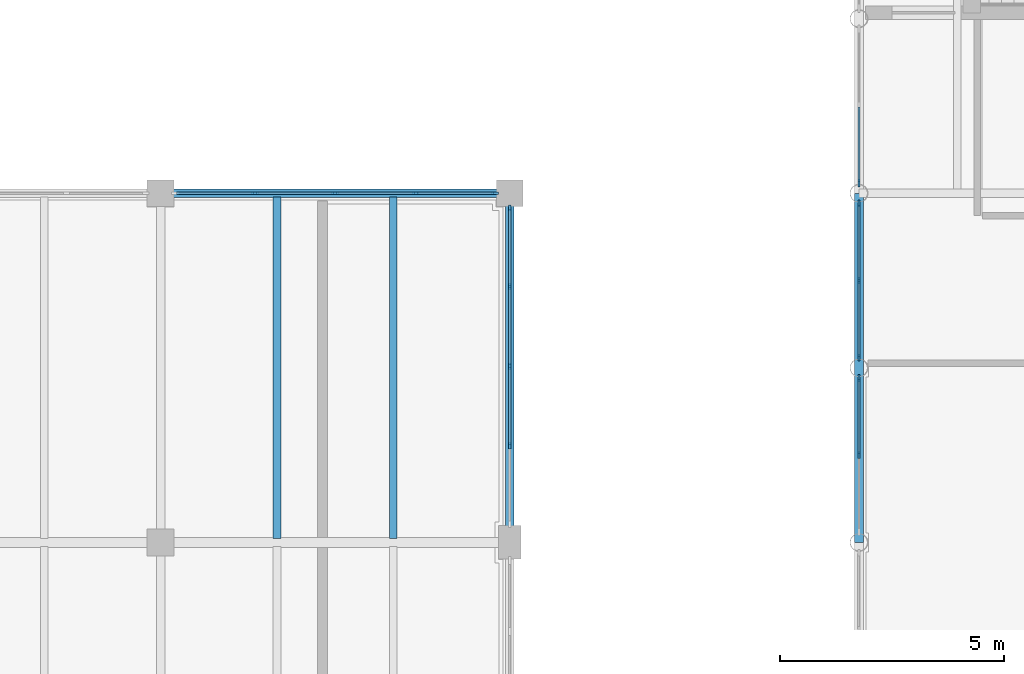
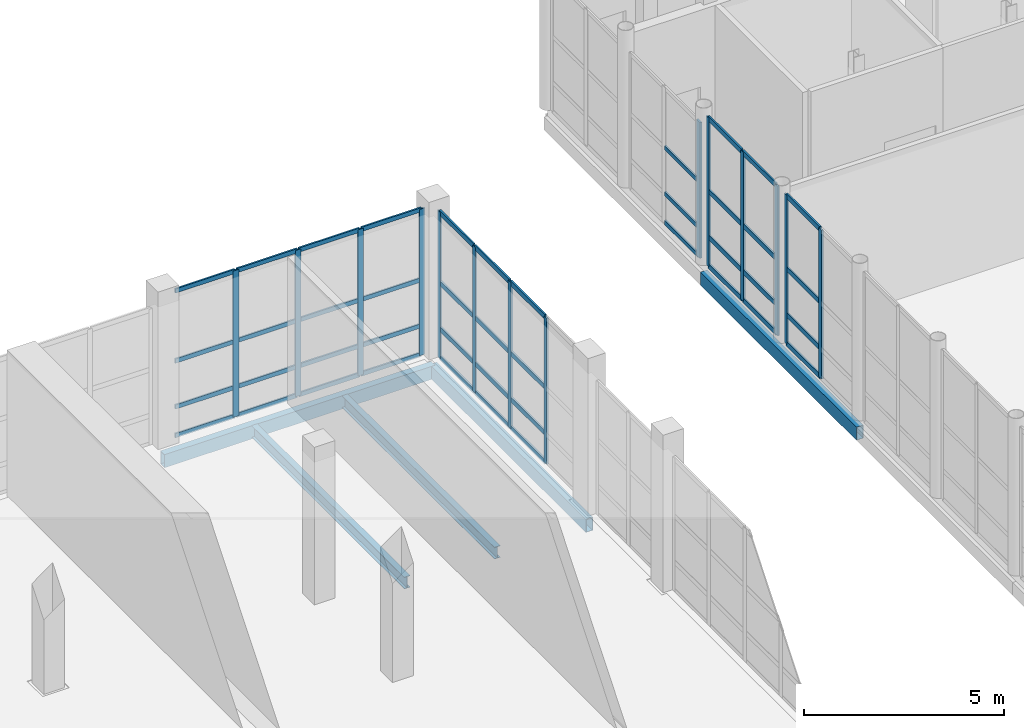
# One storey, part 45 of 131: 57 members, 5 beams, 5 elements without a shape of their own.
"""IFC4 building model written with IfcOpenShell, lengths in metres."""

from ifc_helpers import new_model, si_unit, direction, frame, origin, origin_2d, place, context, subcontext, project, spatial, rectangle, hollow_rectangle, i_section, extrude, material, layer, layer_set, material_profile, profile_set, type_object, element, aggregate, save


model = new_model("IFC4")

# Units and contexts
model_context = context("Model", 3, precision=1e-05, world=origin(), true_north=direction((0.0, 1.0)))
body_context = subcontext(model_context, "Body", "Model", "MODEL_VIEW")
ifc_project = project(units=[si_unit("LENGTHUNIT", "METRE"), si_unit("AREAUNIT", "SQUARE_METRE"), si_unit("VOLUMEUNIT", "CUBIC_METRE"), si_unit("PLANEANGLEUNIT", "RADIAN"), si_unit("MASSUNIT", "GRAM", prefix="KILO")], contexts=[model_context])

# Site, building, storey
site_placement = place(None, origin())
site = spatial("IfcSite", under=ifc_project, at=site_placement, CompositionType="ELEMENT")
building_placement = place(site_placement, origin())
building = spatial("IfcBuilding", under=site, at=building_placement, Name="Celorna Specialist Clinic", CompositionType="ELEMENT")
storey_placement = place(building_placement, origin())
storey = spatial("IfcBuildingStorey", under=building, at=storey_placement, Name="L00", CompositionType="ELEMENT", Elevation=0.0)

# Beams
ifc_material_1 = material(Name="Steel S355", Category="steel")
ifc_material_profile_1 = material_profile(ifc_material_1, i_section(OverallWidth=0.169921875, OverallDepth=0.360107421875, WebThickness=0.008056640625, FlangeThickness=0.0126953125, at=origin_2d()), Name="IPE 360")
ifc_profile_set_1 = profile_set([ifc_material_profile_1], Name="Steel S355")
beam_type_1 = type_object("IfcBeamType", Name="BM-11", PredefinedType="JOIST", material=ifc_profile_set_1)
for number, where, z_axis, x_axis, name in (
    (1, (41.60009765625, 62.488037109375, -0.56005859375), (0.0, 1.0, 0.0), (-1.0, 0.0, 0.0), "Secondary floor joist BM-11 #355"),
    (2, (44.199951171875, 62.488037109375, -0.56005859375), (0.0, 1.0, 0.0), (-1.0, 0.0, 0.0), "Secondary floor joist BM-11 #356"),
):
    element("IfcBeam", number, at=place(storey_placement, frame(where, z_axis=z_axis, x_axis=x_axis)), inside=storey, type_object=beam_type_1, Name=name, PredefinedType="JOIST", context=body_context, shape_type="SweptSolid", body=[
        extrude(i_section(OverallWidth=0.169921875, OverallDepth=0.360107421875, WebThickness=0.008056640625, FlangeThickness=0.0126953125, at=origin_2d()), origin(), (0.0, 0.0, 1.0), 7.6240234375),
    ])
ifc_material_profile_2 = material_profile(ifc_material_1, hollow_rectangle(XDim=0.199951171875, YDim=0.39990234375, WallThickness=0.011962890625, at=origin_2d()), Name="RHS 200x400x12")
ifc_profile_set_2 = profile_set([ifc_material_profile_2], Name="Steel S355")
beam_type_2 = type_object("IfcBeamType", Name="BM-15", PredefinedType="SPANDREL", material=ifc_profile_set_2)
for number, where, z_axis, x_axis, name in (
    (3, (54.60009765625, 62.39990234375, -0.5), (0.0, 1.0, 0.0), (-1.0, 0.0, 0.0), "Spandrel beam BM-15 #163"),
    (4, (39.0, 70.199951171875, -0.580078125), (1.0, 0.0, 0.0), (0.0, 1.0, 0.0), "Spandrel beam BM-15 #265"),
    (5, (46.800048828125, 62.39990234375, -0.580078125), (0.0, 1.0, 0.0), (-1.0, 0.0, 0.0), "Spandrel beam BM-15 #300"),
):
    element("IfcBeam", number, at=place(storey_placement, frame(where, z_axis=z_axis, x_axis=x_axis)), inside=storey, type_object=beam_type_2, Name=name, PredefinedType="SPANDREL", context=body_context, shape_type="SweptSolid", body=[
        extrude(hollow_rectangle(XDim=0.199951171875, YDim=0.39990234375, WallThickness=0.011962890625, at=origin_2d()), origin(), (0.0, 0.0, 1.0), 7.800048828125),
    ])

# Curtain wall, members
ifc_material_2 = material(Name="Thermally broken aluminium and solar-control glass curtain wall", Category="aluminium")
ifc_layer_1 = layer(ifc_material_2, 0.159912109375, Name="Thermally broken aluminium and solar-control glass curtain wall")
ifc_layer_set_1 = layer_set([ifc_layer_1], Name="Thermally broken aluminium and solar-control glass curtain wall")
curtain_wall_type_1 = type_object("IfcCurtainWallType", Name="CW-06", PredefinedType="NOTDEFINED", material=ifc_layer_set_1)
curtain_wall_1_placement = place(storey_placement, origin())
curtain_wall_1 = element("IfcCurtainWall", 6, at=curtain_wall_1_placement, inside=storey, type_object=curtain_wall_type_1, Name="Curtain wall CW-06 #14", PredefinedType="NOTDEFINED")
ifc_material_3 = material(Name="Anodized aluminium mullion", Category="aluminium")
ifc_material_profile_3 = material_profile(ifc_material_3, rectangle(XDim=0.050048828125, YDim=0.159912109375, at=origin_2d()), Name="ALU MULLION 50x160")
ifc_profile_set_3 = profile_set([ifc_material_profile_3], Name="Anodized aluminium mullion")
member_type_1 = type_object("IfcMemberType", Name="ML-01", PredefinedType="MULLION", material=ifc_profile_set_3)
member_1_placement = place(storey_placement, frame((54.60009765625, 64.35009765625, 0.0), z_axis=(0.0, 0.0, 1.0), x_axis=(-1.0, 0.0, 0.0)))
member_1 = element("IfcMember", 7, at=member_1_placement, type_object=member_type_1, Name="CW-06 mullion 2", PredefinedType="MULLION", context=body_context, shape_type="SweptSolid", body=[
    extrude(rectangle(XDim=0.050048828125, YDim=0.159912109375, at=origin_2d()), origin(), (0.0, 0.0, 1.0), 4.5400390625),
])
member_2_placement = place(storey_placement, frame((54.60009765625, 66.06787109375, 0.0), z_axis=(0.0, 0.0, 1.0), x_axis=(-1.0, 0.0, 0.0)))
member_2 = element("IfcMember", 8, at=member_2_placement, type_object=member_type_1, Name="CW-06 mullion 3", PredefinedType="MULLION", context=body_context, shape_type="SweptSolid", body=[
    extrude(rectangle(XDim=0.050048828125, YDim=0.159912109375, at=origin_2d()), origin(), (0.0, 0.0, 1.0), 4.5400390625),
])

curtain_wall_2_placement = place(storey_placement, origin())
curtain_wall_2 = element("IfcCurtainWall", 9, at=curtain_wall_2_placement, inside=storey, type_object=curtain_wall_type_1, Name="Curtain wall CW-06 #15", PredefinedType="NOTDEFINED")
member_3_placement = place(storey_placement, frame((54.60009765625, 66.5322265625, 0.0), z_axis=(0.0, 0.0, 1.0), x_axis=(-1.0, 0.0, 0.0)))
member_3 = element("IfcMember", 10, at=member_3_placement, type_object=member_type_1, Name="CW-06 mullion 1", PredefinedType="MULLION", context=body_context, shape_type="SweptSolid", body=[
    extrude(rectangle(XDim=0.050048828125, YDim=0.159912109375, at=origin_2d()), origin(), (0.0, 0.0, 1.0), 4.5400390625),
])
member_4_placement = place(storey_placement, frame((54.60009765625, 68.25, 0.0), z_axis=(0.0, 0.0, 1.0), x_axis=(-1.0, 0.0, 0.0)))
member_4 = element("IfcMember", 11, at=member_4_placement, type_object=member_type_1, Name="CW-06 mullion 2", PredefinedType="MULLION", context=body_context, shape_type="SweptSolid", body=[
    extrude(rectangle(XDim=0.050048828125, YDim=0.159912109375, at=origin_2d()), origin(), (0.0, 0.0, 1.0), 4.5400390625),
])
member_5_placement = place(storey_placement, frame((54.60009765625, 69.9677734375, 0.0), z_axis=(0.0, 0.0, 1.0), x_axis=(-1.0, 0.0, 0.0)))
member_5 = element("IfcMember", 12, at=member_5_placement, type_object=member_type_1, Name="CW-06 mullion 3", PredefinedType="MULLION", context=body_context, shape_type="SweptSolid", body=[
    extrude(rectangle(XDim=0.050048828125, YDim=0.159912109375, at=origin_2d()), origin(), (0.0, 0.0, 1.0), 4.5400390625),
])

ifc_layer_2 = layer(ifc_material_2, 0.159912109375, Name="Thermally broken aluminium and solar-control glass curtain wall")
ifc_layer_set_2 = layer_set([ifc_layer_2], Name="Thermally broken aluminium and solar-control glass curtain wall")
curtain_wall_type_2 = type_object("IfcCurtainWallType", Name="CW-18", PredefinedType="NOTDEFINED", material=ifc_layer_set_2)
curtain_wall_3_placement = place(storey_placement, origin())
curtain_wall_3 = element("IfcCurtainWall", 13, at=curtain_wall_3_placement, inside=storey, type_object=curtain_wall_type_2, Name="Curtain wall CW-18 #46", PredefinedType="NOTDEFINED")
member_6_placement = place(storey_placement, frame((41.10205078125, 70.199951171875, 0.0), z_axis=(0.0, 0.0, 1.0), x_axis=(0.0, 1.0, 0.0)))
member_6 = element("IfcMember", 14, at=member_6_placement, type_object=member_type_1, Name="CW-18 mullion 2", PredefinedType="MULLION", context=body_context, shape_type="SweptSolid", body=[
    extrude(rectangle(XDim=0.050048828125, YDim=0.159912109375, at=origin_2d()), origin(), (0.0, 0.0, 1.0), 4.4599609375),
])
member_7_placement = place(storey_placement, frame((42.89990234375, 70.199951171875, 0.0), z_axis=(0.0, 0.0, 1.0), x_axis=(0.0, 1.0, 0.0)))
member_7 = element("IfcMember", 15, at=member_7_placement, type_object=member_type_1, Name="CW-18 mullion 3", PredefinedType="MULLION", context=body_context, shape_type="SweptSolid", body=[
    extrude(rectangle(XDim=0.050048828125, YDim=0.159912109375, at=origin_2d()), origin(), (0.0, 0.0, 1.0), 4.4599609375),
])
member_8_placement = place(storey_placement, frame((44.697998046875, 70.199951171875, 0.0), z_axis=(0.0, 0.0, 1.0), x_axis=(0.0, 1.0, 0.0)))
member_8 = element("IfcMember", 16, at=member_8_placement, type_object=member_type_1, Name="CW-18 mullion 4", PredefinedType="MULLION", context=body_context, shape_type="SweptSolid", body=[
    extrude(rectangle(XDim=0.050048828125, YDim=0.159912109375, at=origin_2d()), origin(), (0.0, 0.0, 1.0), 4.4599609375),
])
member_9_placement = place(storey_placement, frame((46.470947265625, 70.199951171875, 0.0), z_axis=(0.0, 0.0, 1.0), x_axis=(0.0, 1.0, 0.0)))
member_9 = element("IfcMember", 17, at=member_9_placement, type_object=member_type_1, Name="CW-18 mullion 5", PredefinedType="MULLION", context=body_context, shape_type="SweptSolid", body=[
    extrude(rectangle(XDim=0.050048828125, YDim=0.159912109375, at=origin_2d()), origin(), (0.0, 0.0, 1.0), 4.4599609375),
])

# Curtain wall, member
ifc_layer_3 = layer(ifc_material_2, 0.159912109375, Name="Thermally broken aluminium and solar-control glass curtain wall")
ifc_layer_set_3 = layer_set([ifc_layer_3], Name="Thermally broken aluminium and solar-control glass curtain wall")
curtain_wall_type_3 = type_object("IfcCurtainWallType", Name="CW-07", PredefinedType="NOTDEFINED", material=ifc_layer_set_3)
curtain_wall_4_placement = place(storey_placement, origin())
curtain_wall_4 = element("IfcCurtainWall", 18, at=curtain_wall_4_placement, inside=storey, type_object=curtain_wall_type_3, Name="Curtain wall CW-07 #16", PredefinedType="NOTDEFINED")
ifc_material_profile_4 = material_profile(ifc_material_3, rectangle(XDim=0.050048828125, YDim=0.179931640625, at=origin_2d()), Name="ALU MULLION 50x180")
ifc_profile_set_4 = profile_set([ifc_material_profile_4], Name="Anodized aluminium mullion")
member_type_2 = type_object("IfcMemberType", Name="ML-02", PredefinedType="MULLION", material=ifc_profile_set_4)
member_10_placement = place(storey_placement, frame((54.60009765625, 70.43212890625, 0.0), z_axis=(0.0, 0.0, 1.0), x_axis=(-1.0, 0.0, 0.0)))
member_10 = element("IfcMember", 19, at=member_10_placement, type_object=member_type_2, Name="CW-07 mullion 1", PredefinedType="MULLION", context=body_context, shape_type="SweptSolid", body=[
    extrude(rectangle(XDim=0.050048828125, YDim=0.179931640625, at=origin_2d()), origin(), (0.0, 0.0, 1.0), 4.139892578125),
])

# Curtain wall, members
ifc_layer_4 = layer(ifc_material_2, 0.159912109375, Name="Thermally broken aluminium and solar-control glass curtain wall")
ifc_layer_set_4 = layer_set([ifc_layer_4], Name="Thermally broken aluminium and solar-control glass curtain wall")
curtain_wall_type_4 = type_object("IfcCurtainWallType", Name="CW-21", PredefinedType="NOTDEFINED", material=ifc_layer_set_4)
curtain_wall_5_placement = place(storey_placement, origin())
curtain_wall_5 = element("IfcCurtainWall", 20, at=curtain_wall_5_placement, inside=storey, type_object=curtain_wall_type_4, Name="Curtain wall CW-21 #49", PredefinedType="NOTDEFINED")
ifc_material_profile_5 = material_profile(ifc_material_3, rectangle(XDim=0.050048828125, YDim=0.139892578125, at=origin_2d()), Name="ALU MULLION 50x140")
ifc_profile_set_5 = profile_set([ifc_material_profile_5], Name="Anodized aluminium mullion")
member_type_3 = type_object("IfcMemberType", Name="ML-03", PredefinedType="MULLION", material=ifc_profile_set_5)
member_11_placement = place(storey_placement, frame((46.800048828125, 69.87109375, 0.0), z_axis=(0.0, 0.0, 1.0), x_axis=(1.0, 0.0, 0.0)))
member_11 = element("IfcMember", 21, at=member_11_placement, type_object=member_type_3, Name="CW-21 mullion 1", PredefinedType="MULLION", context=body_context, shape_type="SweptSolid", body=[
    extrude(rectangle(XDim=0.050048828125, YDim=0.139892578125, at=origin_2d()), origin(), (0.0, 0.0, 1.0), 4.4599609375),
])
member_12_placement = place(storey_placement, frame((46.800048828125, 68.11669921875, 0.0), z_axis=(0.0, 0.0, 1.0), x_axis=(1.0, 0.0, 0.0)))
member_12 = element("IfcMember", 22, at=member_12_placement, type_object=member_type_3, Name="CW-21 mullion 2", PredefinedType="MULLION", context=body_context, shape_type="SweptSolid", body=[
    extrude(rectangle(XDim=0.050048828125, YDim=0.139892578125, at=origin_2d()), origin(), (0.0, 0.0, 1.0), 4.4599609375),
])
member_13_placement = place(storey_placement, frame((46.800048828125, 66.33740234375, 0.0), z_axis=(0.0, 0.0, 1.0), x_axis=(1.0, 0.0, 0.0)))
member_13 = element("IfcMember", 23, at=member_13_placement, type_object=member_type_3, Name="CW-21 mullion 3", PredefinedType="MULLION", context=body_context, shape_type="SweptSolid", body=[
    extrude(rectangle(XDim=0.050048828125, YDim=0.139892578125, at=origin_2d()), origin(), (0.0, 0.0, 1.0), 4.4599609375),
])
member_14_placement = place(storey_placement, frame((46.800048828125, 64.558349609375, 0.0), z_axis=(0.0, 0.0, 1.0), x_axis=(1.0, 0.0, 0.0)))
member_14 = element("IfcMember", 24, at=member_14_placement, type_object=member_type_3, Name="CW-21 mullion 4", PredefinedType="MULLION", context=body_context, shape_type="SweptSolid", body=[
    extrude(rectangle(XDim=0.050048828125, YDim=0.139892578125, at=origin_2d()), origin(), (0.0, 0.0, 1.0), 4.4599609375),
])

# Member
ifc_material_4 = material(Name="Anodized aluminium transom", Category="aluminium")
ifc_material_profile_6 = material_profile(ifc_material_4, rectangle(XDim=0.050048828125, YDim=0.1298828125, at=origin_2d()), Name="ALU TRANSOM 50x130")
ifc_profile_set_6 = profile_set([ifc_material_profile_6], Name="Anodized aluminium transom")
member_type_4 = type_object("IfcMemberType", Name="TR-01", PredefinedType="USERDEFINED", material=ifc_profile_set_6)
member_15_placement = place(storey_placement, frame((54.60009765625, 70.457275390625, 0.02490234375), z_axis=(0.0, 1.0, 0.0), x_axis=(-1.0, 0.0, 0.0)))
member_15 = element("IfcMember", 25, at=member_15_placement, type_object=member_type_4, Name="CW-07 transom 1.1", ObjectType="TRANSOM", PredefinedType="USERDEFINED", context=body_context, shape_type="SweptSolid", body=[
    extrude(rectangle(XDim=0.050048828125, YDim=0.1298828125, at=origin_2d()), origin(), (0.0, 0.0, 1.0), 1.667724609375),
])

member_16_placement = place(storey_placement, frame((54.60009765625, 70.457275390625, 0.89990234375), z_axis=(0.0, 1.0, 0.0), x_axis=(-1.0, 0.0, 0.0)))
member_16 = element("IfcMember", 26, at=member_16_placement, type_object=member_type_4, Name="CW-07 transom 1.2", ObjectType="TRANSOM", PredefinedType="USERDEFINED", context=body_context, shape_type="SweptSolid", body=[
    extrude(rectangle(XDim=0.050048828125, YDim=0.1298828125, at=origin_2d()), origin(), (0.0, 0.0, 1.0), 1.667724609375),
])

member_17_placement = place(storey_placement, frame((54.60009765625, 70.457275390625, 2.300048828125), z_axis=(0.0, 1.0, 0.0), x_axis=(-1.0, 0.0, 0.0)))
member_17 = element("IfcMember", 27, at=member_17_placement, type_object=member_type_4, Name="CW-07 transom 1.3", ObjectType="TRANSOM", PredefinedType="USERDEFINED", context=body_context, shape_type="SweptSolid", body=[
    extrude(rectangle(XDim=0.050048828125, YDim=0.1298828125, at=origin_2d()), origin(), (0.0, 0.0, 1.0), 1.667724609375),
])

aggregate(curtain_wall_4, [member_10, member_15, member_16, member_17])

member_18_placement = place(storey_placement, frame((39.35400390625, 70.199951171875, 0.02490234375), z_axis=(1.0, 0.0, 0.0), x_axis=(0.0, 1.0, 0.0)))
member_18 = element("IfcMember", 28, at=member_18_placement, type_object=member_type_4, Name="CW-18 transom 1.1", ObjectType="TRANSOM", PredefinedType="USERDEFINED", context=body_context, shape_type="SweptSolid", body=[
    extrude(rectangle(XDim=0.050048828125, YDim=0.1298828125, at=origin_2d()), origin(), (0.0, 0.0, 1.0), 1.722900390625),
])

member_19_placement = place(storey_placement, frame((39.35400390625, 70.199951171875, 0.89990234375), z_axis=(1.0, 0.0, 0.0), x_axis=(0.0, 1.0, 0.0)))
member_19 = element("IfcMember", 29, at=member_19_placement, type_object=member_type_4, Name="CW-18 transom 1.2", ObjectType="TRANSOM", PredefinedType="USERDEFINED", context=body_context, shape_type="SweptSolid", body=[
    extrude(rectangle(XDim=0.050048828125, YDim=0.1298828125, at=origin_2d()), origin(), (0.0, 0.0, 1.0), 1.722900390625),
])

member_20_placement = place(storey_placement, frame((39.35400390625, 70.199951171875, 2.300048828125), z_axis=(1.0, 0.0, 0.0), x_axis=(0.0, 1.0, 0.0)))
member_20 = element("IfcMember", 30, at=member_20_placement, type_object=member_type_4, Name="CW-18 transom 1.3", ObjectType="TRANSOM", PredefinedType="USERDEFINED", context=body_context, shape_type="SweptSolid", body=[
    extrude(rectangle(XDim=0.050048828125, YDim=0.1298828125, at=origin_2d()), origin(), (0.0, 0.0, 1.0), 1.722900390625),
])

member_21_placement = place(storey_placement, frame((39.35400390625, 70.199951171875, 4.43505859375), z_axis=(1.0, 0.0, 0.0), x_axis=(0.0, 1.0, 0.0)))
member_21 = element("IfcMember", 31, at=member_21_placement, type_object=member_type_4, Name="CW-18 transom 1.4", ObjectType="TRANSOM", PredefinedType="USERDEFINED", context=body_context, shape_type="SweptSolid", body=[
    extrude(rectangle(XDim=0.050048828125, YDim=0.1298828125, at=origin_2d()), origin(), (0.0, 0.0, 1.0), 1.722900390625),
])

member_22_placement = place(storey_placement, frame((41.126953125, 70.199951171875, 0.02490234375), z_axis=(1.0, 0.0, 0.0), x_axis=(0.0, 1.0, 0.0)))
member_22 = element("IfcMember", 32, at=member_22_placement, type_object=member_type_4, Name="CW-18 transom 2.1", ObjectType="TRANSOM", PredefinedType="USERDEFINED", context=body_context, shape_type="SweptSolid", body=[
    extrude(rectangle(XDim=0.050048828125, YDim=0.1298828125, at=origin_2d()), origin(), (0.0, 0.0, 1.0), 1.748046875),
])

member_23_placement = place(storey_placement, frame((41.126953125, 70.199951171875, 0.89990234375), z_axis=(1.0, 0.0, 0.0), x_axis=(0.0, 1.0, 0.0)))
member_23 = element("IfcMember", 33, at=member_23_placement, type_object=member_type_4, Name="CW-18 transom 2.2", ObjectType="TRANSOM", PredefinedType="USERDEFINED", context=body_context, shape_type="SweptSolid", body=[
    extrude(rectangle(XDim=0.050048828125, YDim=0.1298828125, at=origin_2d()), origin(), (0.0, 0.0, 1.0), 1.748046875),
])

member_24_placement = place(storey_placement, frame((41.126953125, 70.199951171875, 2.300048828125), z_axis=(1.0, 0.0, 0.0), x_axis=(0.0, 1.0, 0.0)))
member_24 = element("IfcMember", 34, at=member_24_placement, type_object=member_type_4, Name="CW-18 transom 2.3", ObjectType="TRANSOM", PredefinedType="USERDEFINED", context=body_context, shape_type="SweptSolid", body=[
    extrude(rectangle(XDim=0.050048828125, YDim=0.1298828125, at=origin_2d()), origin(), (0.0, 0.0, 1.0), 1.748046875),
])

member_25_placement = place(storey_placement, frame((41.126953125, 70.199951171875, 4.43505859375), z_axis=(1.0, 0.0, 0.0), x_axis=(0.0, 1.0, 0.0)))
member_25 = element("IfcMember", 35, at=member_25_placement, type_object=member_type_4, Name="CW-18 transom 2.4", ObjectType="TRANSOM", PredefinedType="USERDEFINED", context=body_context, shape_type="SweptSolid", body=[
    extrude(rectangle(XDim=0.050048828125, YDim=0.1298828125, at=origin_2d()), origin(), (0.0, 0.0, 1.0), 1.748046875),
])

member_26_placement = place(storey_placement, frame((42.925048828125, 70.199951171875, 0.02490234375), z_axis=(1.0, 0.0, 0.0), x_axis=(0.0, 1.0, 0.0)))
member_26 = element("IfcMember", 36, at=member_26_placement, type_object=member_type_4, Name="CW-18 transom 3.1", ObjectType="TRANSOM", PredefinedType="USERDEFINED", context=body_context, shape_type="SweptSolid", body=[
    extrude(rectangle(XDim=0.050048828125, YDim=0.1298828125, at=origin_2d()), origin(), (0.0, 0.0, 1.0), 1.748046875),
])

member_27_placement = place(storey_placement, frame((42.925048828125, 70.199951171875, 0.89990234375), z_axis=(1.0, 0.0, 0.0), x_axis=(0.0, 1.0, 0.0)))
member_27 = element("IfcMember", 37, at=member_27_placement, type_object=member_type_4, Name="CW-18 transom 3.2", ObjectType="TRANSOM", PredefinedType="USERDEFINED", context=body_context, shape_type="SweptSolid", body=[
    extrude(rectangle(XDim=0.050048828125, YDim=0.1298828125, at=origin_2d()), origin(), (0.0, 0.0, 1.0), 1.748046875),
])

member_28_placement = place(storey_placement, frame((42.925048828125, 70.199951171875, 2.300048828125), z_axis=(1.0, 0.0, 0.0), x_axis=(0.0, 1.0, 0.0)))
member_28 = element("IfcMember", 38, at=member_28_placement, type_object=member_type_4, Name="CW-18 transom 3.3", ObjectType="TRANSOM", PredefinedType="USERDEFINED", context=body_context, shape_type="SweptSolid", body=[
    extrude(rectangle(XDim=0.050048828125, YDim=0.1298828125, at=origin_2d()), origin(), (0.0, 0.0, 1.0), 1.748046875),
])

member_29_placement = place(storey_placement, frame((42.925048828125, 70.199951171875, 4.43505859375), z_axis=(1.0, 0.0, 0.0), x_axis=(0.0, 1.0, 0.0)))
member_29 = element("IfcMember", 39, at=member_29_placement, type_object=member_type_4, Name="CW-18 transom 3.4", ObjectType="TRANSOM", PredefinedType="USERDEFINED", context=body_context, shape_type="SweptSolid", body=[
    extrude(rectangle(XDim=0.050048828125, YDim=0.1298828125, at=origin_2d()), origin(), (0.0, 0.0, 1.0), 1.748046875),
])

member_30_placement = place(storey_placement, frame((44.722900390625, 70.199951171875, 0.02490234375), z_axis=(1.0, 0.0, 0.0), x_axis=(0.0, 1.0, 0.0)))
member_30 = element("IfcMember", 40, at=member_30_placement, type_object=member_type_4, Name="CW-18 transom 4.1", ObjectType="TRANSOM", PredefinedType="USERDEFINED", context=body_context, shape_type="SweptSolid", body=[
    extrude(rectangle(XDim=0.050048828125, YDim=0.1298828125, at=origin_2d()), origin(), (0.0, 0.0, 1.0), 1.72314453125),
])

member_31_placement = place(storey_placement, frame((44.722900390625, 70.199951171875, 0.89990234375), z_axis=(1.0, 0.0, 0.0), x_axis=(0.0, 1.0, 0.0)))
member_31 = element("IfcMember", 41, at=member_31_placement, type_object=member_type_4, Name="CW-18 transom 4.2", ObjectType="TRANSOM", PredefinedType="USERDEFINED", context=body_context, shape_type="SweptSolid", body=[
    extrude(rectangle(XDim=0.050048828125, YDim=0.1298828125, at=origin_2d()), origin(), (0.0, 0.0, 1.0), 1.72314453125),
])

member_32_placement = place(storey_placement, frame((44.722900390625, 70.199951171875, 2.300048828125), z_axis=(1.0, 0.0, 0.0), x_axis=(0.0, 1.0, 0.0)))
member_32 = element("IfcMember", 42, at=member_32_placement, type_object=member_type_4, Name="CW-18 transom 4.3", ObjectType="TRANSOM", PredefinedType="USERDEFINED", context=body_context, shape_type="SweptSolid", body=[
    extrude(rectangle(XDim=0.050048828125, YDim=0.1298828125, at=origin_2d()), origin(), (0.0, 0.0, 1.0), 1.72314453125),
])

member_33_placement = place(storey_placement, frame((44.722900390625, 70.199951171875, 4.43505859375), z_axis=(1.0, 0.0, 0.0), x_axis=(0.0, 1.0, 0.0)))
member_33 = element("IfcMember", 43, at=member_33_placement, type_object=member_type_4, Name="CW-18 transom 4.4", ObjectType="TRANSOM", PredefinedType="USERDEFINED", context=body_context, shape_type="SweptSolid", body=[
    extrude(rectangle(XDim=0.050048828125, YDim=0.1298828125, at=origin_2d()), origin(), (0.0, 0.0, 1.0), 1.72314453125),
])

aggregate(curtain_wall_3, [member_6, member_7, member_8, member_9, member_18, member_19, member_20, member_21, member_22, member_23, member_24, member_25, member_26, member_27, member_28, member_29, member_30, member_31, member_32, member_33])

ifc_material_profile_7 = material_profile(ifc_material_4, rectangle(XDim=0.050048828125, YDim=0.14990234375, at=origin_2d()), Name="ALU TRANSOM 50x150")
ifc_profile_set_7 = profile_set([ifc_material_profile_7], Name="Anodized aluminium transom")
member_type_5 = type_object("IfcMemberType", Name="TR-02", PredefinedType="USERDEFINED", material=ifc_profile_set_7)
member_34_placement = place(storey_placement, frame((54.60009765625, 64.375, 0.02490234375), z_axis=(0.0, 1.0, 0.0), x_axis=(-1.0, 0.0, 0.0)))
member_34 = element("IfcMember", 44, at=member_34_placement, type_object=member_type_5, Name="CW-06 transom 2.1", ObjectType="TRANSOM", PredefinedType="USERDEFINED", context=body_context, shape_type="SweptSolid", body=[
    extrude(rectangle(XDim=0.050048828125, YDim=0.14990234375, at=origin_2d()), origin(), (0.0, 0.0, 1.0), 1.667724609375),
])

member_35_placement = place(storey_placement, frame((54.60009765625, 64.375, 0.89990234375), z_axis=(0.0, 1.0, 0.0), x_axis=(-1.0, 0.0, 0.0)))
member_35 = element("IfcMember", 45, at=member_35_placement, type_object=member_type_5, Name="CW-06 transom 2.2", ObjectType="TRANSOM", PredefinedType="USERDEFINED", context=body_context, shape_type="SweptSolid", body=[
    extrude(rectangle(XDim=0.050048828125, YDim=0.14990234375, at=origin_2d()), origin(), (0.0, 0.0, 1.0), 1.667724609375),
])

member_36_placement = place(storey_placement, frame((54.60009765625, 64.375, 2.300048828125), z_axis=(0.0, 1.0, 0.0), x_axis=(-1.0, 0.0, 0.0)))
member_36 = element("IfcMember", 46, at=member_36_placement, type_object=member_type_5, Name="CW-06 transom 2.3", ObjectType="TRANSOM", PredefinedType="USERDEFINED", context=body_context, shape_type="SweptSolid", body=[
    extrude(rectangle(XDim=0.050048828125, YDim=0.14990234375, at=origin_2d()), origin(), (0.0, 0.0, 1.0), 1.667724609375),
])

member_37_placement = place(storey_placement, frame((54.60009765625, 64.375, 4.514892578125), z_axis=(0.0, 1.0, 0.0), x_axis=(-1.0, 0.0, 0.0)))
member_37 = element("IfcMember", 47, at=member_37_placement, type_object=member_type_5, Name="CW-06 transom 2.4", ObjectType="TRANSOM", PredefinedType="USERDEFINED", context=body_context, shape_type="SweptSolid", body=[
    extrude(rectangle(XDim=0.050048828125, YDim=0.14990234375, at=origin_2d()), origin(), (0.0, 0.0, 1.0), 1.667724609375),
])

aggregate(curtain_wall_1, [member_1, member_2, member_34, member_35, member_36, member_37])

member_38_placement = place(storey_placement, frame((54.60009765625, 66.55712890625, 0.02490234375), z_axis=(0.0, 1.0, 0.0), x_axis=(-1.0, 0.0, 0.0)))
member_38 = element("IfcMember", 48, at=member_38_placement, type_object=member_type_5, Name="CW-06 transom 1.1", ObjectType="TRANSOM", PredefinedType="USERDEFINED", context=body_context, shape_type="SweptSolid", body=[
    extrude(rectangle(XDim=0.050048828125, YDim=0.14990234375, at=origin_2d()), origin(), (0.0, 0.0, 1.0), 1.66796875),
])

member_39_placement = place(storey_placement, frame((54.60009765625, 66.55712890625, 0.89990234375), z_axis=(0.0, 1.0, 0.0), x_axis=(-1.0, 0.0, 0.0)))
member_39 = element("IfcMember", 49, at=member_39_placement, type_object=member_type_5, Name="CW-06 transom 1.2", ObjectType="TRANSOM", PredefinedType="USERDEFINED", context=body_context, shape_type="SweptSolid", body=[
    extrude(rectangle(XDim=0.050048828125, YDim=0.14990234375, at=origin_2d()), origin(), (0.0, 0.0, 1.0), 1.66796875),
])

member_40_placement = place(storey_placement, frame((54.60009765625, 66.55712890625, 2.300048828125), z_axis=(0.0, 1.0, 0.0), x_axis=(-1.0, 0.0, 0.0)))
member_40 = element("IfcMember", 50, at=member_40_placement, type_object=member_type_5, Name="CW-06 transom 1.3", ObjectType="TRANSOM", PredefinedType="USERDEFINED", context=body_context, shape_type="SweptSolid", body=[
    extrude(rectangle(XDim=0.050048828125, YDim=0.14990234375, at=origin_2d()), origin(), (0.0, 0.0, 1.0), 1.66796875),
])

member_41_placement = place(storey_placement, frame((54.60009765625, 66.55712890625, 4.514892578125), z_axis=(0.0, 1.0, 0.0), x_axis=(-1.0, 0.0, 0.0)))
member_41 = element("IfcMember", 51, at=member_41_placement, type_object=member_type_5, Name="CW-06 transom 1.4", ObjectType="TRANSOM", PredefinedType="USERDEFINED", context=body_context, shape_type="SweptSolid", body=[
    extrude(rectangle(XDim=0.050048828125, YDim=0.14990234375, at=origin_2d()), origin(), (0.0, 0.0, 1.0), 1.66796875),
])

member_42_placement = place(storey_placement, frame((54.60009765625, 68.27490234375, 0.02490234375), z_axis=(0.0, 1.0, 0.0), x_axis=(-1.0, 0.0, 0.0)))
member_42 = element("IfcMember", 52, at=member_42_placement, type_object=member_type_5, Name="CW-06 transom 2.1", ObjectType="TRANSOM", PredefinedType="USERDEFINED", context=body_context, shape_type="SweptSolid", body=[
    extrude(rectangle(XDim=0.050048828125, YDim=0.14990234375, at=origin_2d()), origin(), (0.0, 0.0, 1.0), 1.66796875),
])

member_43_placement = place(storey_placement, frame((54.60009765625, 68.27490234375, 0.89990234375), z_axis=(0.0, 1.0, 0.0), x_axis=(-1.0, 0.0, 0.0)))
member_43 = element("IfcMember", 53, at=member_43_placement, type_object=member_type_5, Name="CW-06 transom 2.2", ObjectType="TRANSOM", PredefinedType="USERDEFINED", context=body_context, shape_type="SweptSolid", body=[
    extrude(rectangle(XDim=0.050048828125, YDim=0.14990234375, at=origin_2d()), origin(), (0.0, 0.0, 1.0), 1.66796875),
])

member_44_placement = place(storey_placement, frame((54.60009765625, 68.27490234375, 2.300048828125), z_axis=(0.0, 1.0, 0.0), x_axis=(-1.0, 0.0, 0.0)))
member_44 = element("IfcMember", 54, at=member_44_placement, type_object=member_type_5, Name="CW-06 transom 2.3", ObjectType="TRANSOM", PredefinedType="USERDEFINED", context=body_context, shape_type="SweptSolid", body=[
    extrude(rectangle(XDim=0.050048828125, YDim=0.14990234375, at=origin_2d()), origin(), (0.0, 0.0, 1.0), 1.66796875),
])

member_45_placement = place(storey_placement, frame((54.60009765625, 68.27490234375, 4.514892578125), z_axis=(0.0, 1.0, 0.0), x_axis=(-1.0, 0.0, 0.0)))
member_45 = element("IfcMember", 55, at=member_45_placement, type_object=member_type_5, Name="CW-06 transom 2.4", ObjectType="TRANSOM", PredefinedType="USERDEFINED", context=body_context, shape_type="SweptSolid", body=[
    extrude(rectangle(XDim=0.050048828125, YDim=0.14990234375, at=origin_2d()), origin(), (0.0, 0.0, 1.0), 1.66796875),
])

aggregate(curtain_wall_2, [member_3, member_4, member_5, member_38, member_39, member_40, member_41, member_42, member_43, member_44, member_45])

member_46_placement = place(storey_placement, frame((46.800048828125, 69.845947265625, 0.02490234375), z_axis=(0.0, -1.0, 0.0), x_axis=(1.0, 0.0, 0.0)))
member_46 = element("IfcMember", 56, at=member_46_placement, type_object=member_type_5, Name="CW-21 transom 1.1", ObjectType="TRANSOM", PredefinedType="USERDEFINED", context=body_context, shape_type="SweptSolid", body=[
    extrude(rectangle(XDim=0.050048828125, YDim=0.14990234375, at=origin_2d()), origin(), (0.0, 0.0, 1.0), 1.7041015625),
])

member_47_placement = place(storey_placement, frame((46.800048828125, 69.845947265625, 0.89990234375), z_axis=(0.0, -1.0, 0.0), x_axis=(1.0, 0.0, 0.0)))
member_47 = element("IfcMember", 57, at=member_47_placement, type_object=member_type_5, Name="CW-21 transom 1.2", ObjectType="TRANSOM", PredefinedType="USERDEFINED", context=body_context, shape_type="SweptSolid", body=[
    extrude(rectangle(XDim=0.050048828125, YDim=0.14990234375, at=origin_2d()), origin(), (0.0, 0.0, 1.0), 1.7041015625),
])

member_48_placement = place(storey_placement, frame((46.800048828125, 69.845947265625, 2.300048828125), z_axis=(0.0, -1.0, 0.0), x_axis=(1.0, 0.0, 0.0)))
member_48 = element("IfcMember", 58, at=member_48_placement, type_object=member_type_5, Name="CW-21 transom 1.3", ObjectType="TRANSOM", PredefinedType="USERDEFINED", context=body_context, shape_type="SweptSolid", body=[
    extrude(rectangle(XDim=0.050048828125, YDim=0.14990234375, at=origin_2d()), origin(), (0.0, 0.0, 1.0), 1.7041015625),
])

member_49_placement = place(storey_placement, frame((46.800048828125, 69.845947265625, 4.43505859375), z_axis=(0.0, -1.0, 0.0), x_axis=(1.0, 0.0, 0.0)))
member_49 = element("IfcMember", 59, at=member_49_placement, type_object=member_type_5, Name="CW-21 transom 1.4", ObjectType="TRANSOM", PredefinedType="USERDEFINED", context=body_context, shape_type="SweptSolid", body=[
    extrude(rectangle(XDim=0.050048828125, YDim=0.14990234375, at=origin_2d()), origin(), (0.0, 0.0, 1.0), 1.7041015625),
])

member_50_placement = place(storey_placement, frame((46.800048828125, 68.091796875, 0.02490234375), z_axis=(0.0, -1.0, 0.0), x_axis=(1.0, 0.0, 0.0)))
member_50 = element("IfcMember", 60, at=member_50_placement, type_object=member_type_5, Name="CW-21 transom 2.1", ObjectType="TRANSOM", PredefinedType="USERDEFINED", context=body_context, shape_type="SweptSolid", body=[
    extrude(rectangle(XDim=0.050048828125, YDim=0.14990234375, at=origin_2d()), origin(), (0.0, 0.0, 1.0), 1.729248046875),
])

member_51_placement = place(storey_placement, frame((46.800048828125, 68.091796875, 0.89990234375), z_axis=(0.0, -1.0, 0.0), x_axis=(1.0, 0.0, 0.0)))
member_51 = element("IfcMember", 61, at=member_51_placement, type_object=member_type_5, Name="CW-21 transom 2.2", ObjectType="TRANSOM", PredefinedType="USERDEFINED", context=body_context, shape_type="SweptSolid", body=[
    extrude(rectangle(XDim=0.050048828125, YDim=0.14990234375, at=origin_2d()), origin(), (0.0, 0.0, 1.0), 1.729248046875),
])

member_52_placement = place(storey_placement, frame((46.800048828125, 68.091796875, 2.300048828125), z_axis=(0.0, -1.0, 0.0), x_axis=(1.0, 0.0, 0.0)))
member_52 = element("IfcMember", 62, at=member_52_placement, type_object=member_type_5, Name="CW-21 transom 2.3", ObjectType="TRANSOM", PredefinedType="USERDEFINED", context=body_context, shape_type="SweptSolid", body=[
    extrude(rectangle(XDim=0.050048828125, YDim=0.14990234375, at=origin_2d()), origin(), (0.0, 0.0, 1.0), 1.729248046875),
])

member_53_placement = place(storey_placement, frame((46.800048828125, 68.091796875, 4.43505859375), z_axis=(0.0, -1.0, 0.0), x_axis=(1.0, 0.0, 0.0)))
member_53 = element("IfcMember", 63, at=member_53_placement, type_object=member_type_5, Name="CW-21 transom 2.4", ObjectType="TRANSOM", PredefinedType="USERDEFINED", context=body_context, shape_type="SweptSolid", body=[
    extrude(rectangle(XDim=0.050048828125, YDim=0.14990234375, at=origin_2d()), origin(), (0.0, 0.0, 1.0), 1.729248046875),
])

member_54_placement = place(storey_placement, frame((46.800048828125, 66.3125, 0.02490234375), z_axis=(0.0, -1.0, 0.0), x_axis=(1.0, 0.0, 0.0)))
member_54 = element("IfcMember", 64, at=member_54_placement, type_object=member_type_5, Name="CW-21 transom 3.1", ObjectType="TRANSOM", PredefinedType="USERDEFINED", context=body_context, shape_type="SweptSolid", body=[
    extrude(rectangle(XDim=0.050048828125, YDim=0.14990234375, at=origin_2d()), origin(), (0.0, 0.0, 1.0), 1.729248046875),
])

member_55_placement = place(storey_placement, frame((46.800048828125, 66.3125, 0.89990234375), z_axis=(0.0, -1.0, 0.0), x_axis=(1.0, 0.0, 0.0)))
member_55 = element("IfcMember", 65, at=member_55_placement, type_object=member_type_5, Name="CW-21 transom 3.2", ObjectType="TRANSOM", PredefinedType="USERDEFINED", context=body_context, shape_type="SweptSolid", body=[
    extrude(rectangle(XDim=0.050048828125, YDim=0.14990234375, at=origin_2d()), origin(), (0.0, 0.0, 1.0), 1.729248046875),
])

member_56_placement = place(storey_placement, frame((46.800048828125, 66.3125, 2.300048828125), z_axis=(0.0, -1.0, 0.0), x_axis=(1.0, 0.0, 0.0)))
member_56 = element("IfcMember", 66, at=member_56_placement, type_object=member_type_5, Name="CW-21 transom 3.3", ObjectType="TRANSOM", PredefinedType="USERDEFINED", context=body_context, shape_type="SweptSolid", body=[
    extrude(rectangle(XDim=0.050048828125, YDim=0.14990234375, at=origin_2d()), origin(), (0.0, 0.0, 1.0), 1.729248046875),
])

member_57_placement = place(storey_placement, frame((46.800048828125, 66.3125, 4.43505859375), z_axis=(0.0, -1.0, 0.0), x_axis=(1.0, 0.0, 0.0)))
member_57 = element("IfcMember", 67, at=member_57_placement, type_object=member_type_5, Name="CW-21 transom 3.4", ObjectType="TRANSOM", PredefinedType="USERDEFINED", context=body_context, shape_type="SweptSolid", body=[
    extrude(rectangle(XDim=0.050048828125, YDim=0.14990234375, at=origin_2d()), origin(), (0.0, 0.0, 1.0), 1.729248046875),
])

aggregate(curtain_wall_5, [member_11, member_12, member_13, member_14, member_46, member_47, member_48, member_49, member_50, member_51, member_52, member_53, member_54, member_55, member_56, member_57])

save(model, "model.ifc")
